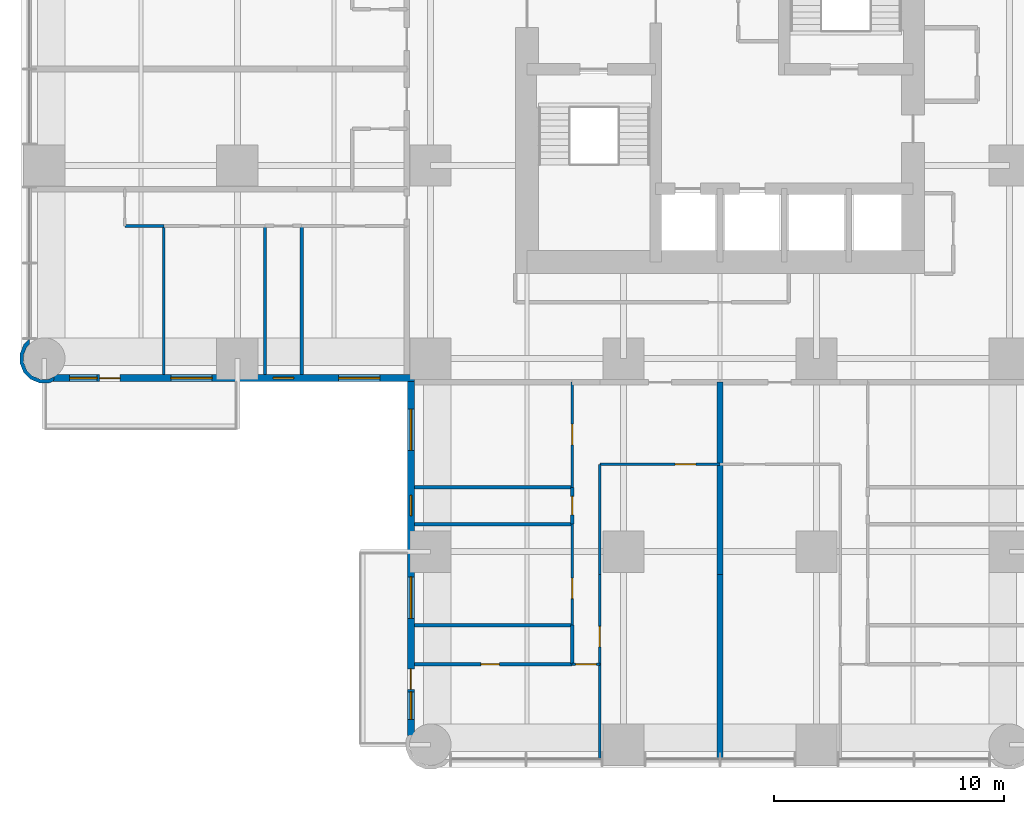
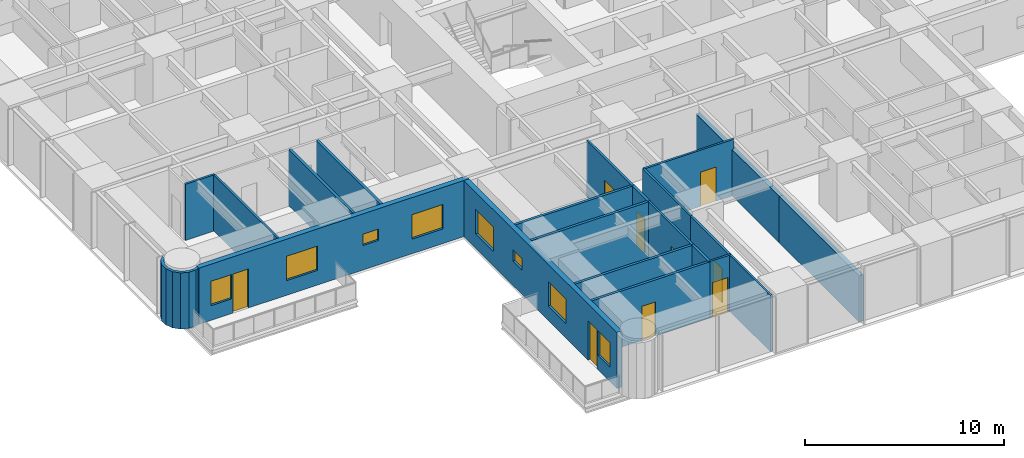
# One storey, part 7 of 17: 23 walls, 9 doors, 8 windows, 17 openings.
"""IFC4 building model written with IfcOpenShell, lengths in metres."""

from ifc_helpers import new_model, si_unit, direction, frame, frame_2d, origin, place, context, subcontext, project, spatial, polyline, rectangle, outline, extrude, material, layer, layer_set, type_object, element, fill, save


model = new_model("IFC4")

# Units and contexts
model_context = context("Model", 3, precision=1e-05, world=origin(), true_north=direction((0.0, 1.0)))
body_context = subcontext(model_context, "Body", "Model", "MODEL_VIEW")
ifc_project = project(units=[si_unit("LENGTHUNIT", "METRE"), si_unit("AREAUNIT", "SQUARE_METRE"), si_unit("VOLUMEUNIT", "CUBIC_METRE"), si_unit("PLANEANGLEUNIT", "RADIAN"), si_unit("MASSUNIT", "GRAM", prefix="KILO")], contexts=[model_context])

# Site, building, storey
site_placement = place(None, origin())
site = spatial("IfcSite", under=ifc_project, at=site_placement, CompositionType="ELEMENT")
building_placement = place(site_placement, origin())
building = spatial("IfcBuilding", under=site, at=building_placement, Name="Torre Alcanfor", CompositionType="ELEMENT")
storey_placement = place(building_placement, frame((0.0, 0.0, 74.10009765625)))
storey = spatial("IfcBuildingStorey", under=building, at=storey_placement, Name="L18", CompositionType="ELEMENT", Elevation=74.10009765625)

# Wall, opening, door
ifc_material_1 = material(Name="Gypsum board on steel studs", Category="steel")
ifc_layer_1 = layer(ifc_material_1, 0.1201171875)
ifc_layer_set_1 = layer_set([ifc_layer_1], Name="Apartment partition 120")
wall_type_1 = type_object("IfcWallType", Name="Apartment partition 120", PredefinedType="PARTITIONING", material=ifc_layer_set_1)
wall_1_placement = place(storey_placement, frame((29.39990234375, 12.199951171875, 0.0), z_axis=(0.0, 0.0, 1.0), x_axis=(-1.0, 0.0, 0.0)))
wall_1 = element("IfcWall", 1, at=wall_1_placement, inside=storey, type_object=wall_type_1, Name="Partition L18-S2-ZAG / L18-S2-KITCHEN", PredefinedType="PARTITIONING", context=body_context, shape_type="SweptSolid", body=[
    extrude(rectangle(XDim=5.22900390625, YDim=0.1201171875, at=frame_2d((2.614501953125, 0.0))), origin(), (0.0, 0.0, 1.0), 3.449951171875),
])
opening_1_placement = place(wall_1_placement, frame((1.050048828125, 0.0, 0.0)))
opening_1 = element("IfcOpeningElement", 2, at=opening_1_placement, cuts=wall_1, Name="Opening D-R1", PredefinedType="OPENING", context=body_context, shape_type="SweptSolid", body=[
    extrude(rectangle(XDim=0.89990234375, YDim=2.10009765625, at=frame_2d((0.449951171875, 1.050048828125))), frame((0.0, 0.070068359375, 0.0), z_axis=(0.0, -1.0, 0.0), x_axis=(1.0, 0.0, 0.0)), (0.0, 0.0, 1.0), 0.14013671875),
])
ifc_material_2 = material(Name="Timber", Category="wood")
door_type_1 = type_object("IfcDoorType", Name="Internal door 900x2100", OperationType="SINGLE_SWING_LEFT", PredefinedType="DOOR", material=ifc_material_2)
door_1_placement = place(opening_1_placement, origin())
door_1 = element("IfcDoor", 3, at=door_1_placement, inside=storey, type_object=door_type_1, Name="Door L18-S2 kitchen", OperationType="SINGLE_SWING_LEFT", OverallHeight=2.10009765625, OverallWidth=0.89990234375, PredefinedType="DOOR", context=body_context, shape_type="SweptSolid", body=[
    extrude(rectangle(XDim=0.89990234375, YDim=2.10009765625, at=frame_2d((0.449951171875, 1.050048828125))), frame((0.0, 0.02490234375, 0.0), z_axis=(0.0, -1.0, 0.0), x_axis=(1.0, 0.0, 0.0)), (0.0, 0.0, 1.0), 0.050048828125),
])
fill(opening_1, door_1)

# Wall
wall_2_placement = place(storey_placement, frame((24.1708984375, 7.39990234375, 0.0), z_axis=(0.0, 0.0, 1.0), x_axis=(0.0, 1.0, 0.0)))
element("IfcWall", 4, at=wall_2_placement, inside=storey, type_object=wall_type_1, Name="Partition L18-S2-KITCHEN / L18-S2-HALL", PredefinedType="PARTITIONING", context=body_context, shape_type="SweptSolid", body=[
    extrude(rectangle(XDim=4.800048828125, YDim=0.1201171875, at=frame_2d((2.39990234375, 0.0))), origin(), (0.0, 0.0, 1.0), 3.449951171875),
])

# Wall, opening, door
wall_3_placement = place(storey_placement, frame((24.1708984375, 3.5, 0.0), z_axis=(0.0, 0.0, 1.0), x_axis=(0.0, 1.0, 0.0)))
wall_3 = element("IfcWall", 5, at=wall_3_placement, inside=storey, type_object=wall_type_1, Name="Partition L18-S2-LIVING / L18-S2-HALL", PredefinedType="PARTITIONING", context=body_context, shape_type="SweptSolid", body=[
    extrude(rectangle(XDim=3.89990234375, YDim=0.1201171875, at=frame_2d((1.949951171875, 0.0))), origin(), (0.0, 0.0, 1.0), 3.449951171875),
])
opening_2_placement = place(wall_3_placement, frame((0.75, 0.0, 0.0)))
opening_2 = element("IfcOpeningElement", 6, at=opening_2_placement, cuts=wall_3, Name="Opening D-R1", PredefinedType="OPENING", context=body_context, shape_type="SweptSolid", body=[
    extrude(rectangle(XDim=0.89990234375, YDim=2.10009765625, at=frame_2d((0.449951171875, 1.050048828125))), frame((0.0, 0.070068359375, 0.0), z_axis=(0.0, -1.0, 0.0), x_axis=(1.0, 0.0, 0.0)), (0.0, 0.0, 1.0), 0.14013671875),
])
door_2_placement = place(opening_2_placement, frame((0.89990234375, 0.0, 0.0), z_axis=(0.0, 0.0, 1.0), x_axis=(-1.0, 0.0, 0.0)))
door_2 = element("IfcDoor", 7, at=door_2_placement, inside=storey, type_object=door_type_1, Name="Door L18-S2 living", OperationType="SINGLE_SWING_LEFT", OverallHeight=2.10009765625, OverallWidth=0.89990234375, PredefinedType="DOOR", context=body_context, shape_type="SweptSolid", body=[
    extrude(rectangle(XDim=0.89990234375, YDim=2.10009765625, at=frame_2d((0.449951171875, 1.050048828125))), frame((0.0, 0.025146484375, 0.0), z_axis=(0.0, -1.0, 0.0), x_axis=(1.0, 0.0, 0.0)), (0.0, 0.0, 1.0), 0.050048828125),
])
fill(opening_2, door_2)

# Wall
wall_4_placement = place(storey_placement, frame((24.1708984375, -0.64990234375, 0.0), z_axis=(0.0, 0.0, 1.0), x_axis=(0.0, 1.0, 0.0)))
element("IfcWall", 8, at=wall_4_placement, inside=storey, type_object=wall_type_1, Name="Partition L18-S2-LIVING / L18-S2-MASTER", PredefinedType="PARTITIONING", context=body_context, shape_type="SweptSolid", body=[
    extrude(rectangle(XDim=4.14990234375, YDim=0.1201171875, at=frame_2d((2.074951171875, 0.0))), origin(), (0.0, 0.0, 1.0), 3.449951171875),
])

# Wall, opening, door
wall_5_placement = place(storey_placement, frame((22.970947265625, 11.199951171875, 0.0), z_axis=(0.0, 0.0, 1.0), x_axis=(0.0, 1.0, 0.0)))
wall_5 = element("IfcWall", 9, at=wall_5_placement, inside=storey, type_object=wall_type_1, Name="Partition L18-S2-HALL / L18-S2-BED3", PredefinedType="PARTITIONING", context=body_context, shape_type="SweptSolid", body=[
    extrude(rectangle(XDim=4.574951171875, YDim=0.1201171875, at=frame_2d((2.28759765625, 0.0))), origin(), (0.0, 0.0, 1.0), 3.449951171875),
])
opening_3_placement = place(wall_5_placement, frame((1.85009765625, 0.0, 0.0)))
opening_3 = element("IfcOpeningElement", 10, at=opening_3_placement, cuts=wall_5, Name="Opening D-R1", PredefinedType="OPENING", context=body_context, shape_type="SweptSolid", body=[
    extrude(rectangle(XDim=0.89990234375, YDim=2.10009765625, at=frame_2d((0.449951171875, 1.050048828125))), frame((0.0, 0.070068359375, 0.0), z_axis=(0.0, -1.0, 0.0), x_axis=(1.0, 0.0, 0.0)), (0.0, 0.0, 1.0), 0.14013671875),
])
door_3_placement = place(opening_3_placement, origin())
door_3 = element("IfcDoor", 11, at=door_3_placement, inside=storey, type_object=door_type_1, Name="Door L18-S2 bed3", OperationType="SINGLE_SWING_RIGHT", OverallHeight=2.10009765625, OverallWidth=0.89990234375, PredefinedType="DOOR", context=body_context, shape_type="SweptSolid", body=[
    extrude(rectangle(XDim=0.89990234375, YDim=2.10009765625, at=frame_2d((0.449951171875, 1.050048828125))), frame((0.0, 0.02490234375, 0.0), z_axis=(0.0, -1.0, 0.0), x_axis=(1.0, 0.0, 0.0)), (0.0, 0.0, 1.0), 0.050048828125),
])
fill(opening_3, door_3)

wall_6_placement = place(storey_placement, frame((22.970947265625, 5.199951171875, 0.0), z_axis=(0.0, 0.0, 1.0), x_axis=(0.0, 1.0, 0.0)))
wall_6 = element("IfcWall", 12, at=wall_6_placement, inside=storey, type_object=wall_type_1, Name="Partition L18-S2-HALL / L18-S2-BED2", PredefinedType="PARTITIONING", context=body_context, shape_type="SweptSolid", body=[
    extrude(rectangle(XDim=4.400146484375, YDim=0.1201171875, at=frame_2d((2.2001953125, 0.0))), origin(), (0.0, 0.0, 1.0), 3.449951171875),
])
opening_4_placement = place(wall_6_placement, frame((1.14990234375, 0.0, 0.0)))
opening_4 = element("IfcOpeningElement", 13, at=opening_4_placement, cuts=wall_6, Name="Opening D-R1", PredefinedType="OPENING", context=body_context, shape_type="SweptSolid", body=[
    extrude(rectangle(XDim=0.89990234375, YDim=2.10009765625, at=frame_2d((0.449951171875, 1.050048828125))), frame((0.0, 0.070068359375, 0.0), z_axis=(0.0, -1.0, 0.0), x_axis=(1.0, 0.0, 0.0)), (0.0, 0.0, 1.0), 0.14013671875),
])
door_4_placement = place(opening_4_placement, origin())
door_4 = element("IfcDoor", 14, at=door_4_placement, inside=storey, type_object=door_type_1, Name="Door L18-S2 bed2", OperationType="SINGLE_SWING_LEFT", OverallHeight=2.10009765625, OverallWidth=0.89990234375, PredefinedType="DOOR", context=body_context, shape_type="SweptSolid", body=[
    extrude(rectangle(XDim=0.89990234375, YDim=2.10009765625, at=frame_2d((0.449951171875, 1.050048828125))), frame((0.0, 0.02490234375, 0.0), z_axis=(0.0, -1.0, 0.0), x_axis=(1.0, 0.0, 0.0)), (0.0, 0.0, 1.0), 0.050048828125),
])
fill(opening_4, door_4)

wall_7_placement = place(storey_placement, frame((24.1708984375, 3.5, 0.0), z_axis=(0.0, 0.0, 1.0), x_axis=(-1.0, 0.0, 0.0)))
wall_7 = element("IfcWall", 15, at=wall_7_placement, inside=storey, type_object=wall_type_1, Name="Partition L18-S2-HALL / L18-S2-MASTER", PredefinedType="PARTITIONING", context=body_context, shape_type="SweptSolid", body=[
    extrude(rectangle(XDim=1.199951171875, YDim=0.1201171875, at=frame_2d((0.60009765625, 0.0))), origin(), (0.0, 0.0, 1.0), 3.449951171875),
])
opening_5_placement = place(wall_7_placement, frame((0.15087890625, 0.0, 0.0)))
opening_5 = element("IfcOpeningElement", 16, at=opening_5_placement, cuts=wall_7, Name="Opening D-R1", PredefinedType="OPENING", context=body_context, shape_type="SweptSolid", body=[
    extrude(rectangle(XDim=0.89990234375, YDim=2.10009765625, at=frame_2d((0.449951171875, 1.050048828125))), frame((0.0, 0.070068359375, 0.0), z_axis=(0.0, -1.0, 0.0), x_axis=(1.0, 0.0, 0.0)), (0.0, 0.0, 1.0), 0.14013671875),
])
door_5_placement = place(opening_5_placement, origin())
door_5 = element("IfcDoor", 17, at=door_5_placement, inside=storey, type_object=door_type_1, Name="Door L18-S2 master", OperationType="SINGLE_SWING_LEFT", OverallHeight=2.10009765625, OverallWidth=0.89990234375, PredefinedType="DOOR", context=body_context, shape_type="SweptSolid", body=[
    extrude(rectangle(XDim=0.89990234375, YDim=2.10009765625, at=frame_2d((0.449951171875, 1.050048828125))), frame((0.0, 0.02490234375, 0.0), z_axis=(0.0, -1.0, 0.0), x_axis=(1.0, 0.0, 0.0)), (0.0, 0.0, 1.0), 0.050048828125),
])
fill(opening_5, door_5)

# Walls
wall_8_placement = place(storey_placement, frame((3.5, 22.571044921875, 0.0), z_axis=(0.0, 0.0, 1.0), x_axis=(1.0, 0.0, 0.0)))
element("IfcWall", 18, at=wall_8_placement, inside=storey, type_object=wall_type_1, Name="Partition L18-W1B-HALL / L18-W1B-KITCHEN", PredefinedType="PARTITIONING", context=body_context, shape_type="SweptSolid", body=[
    extrude(rectangle(XDim=1.699951171875, YDim=0.1201171875, at=frame_2d((0.85009765625, 0.0))), origin(), (0.0, 0.0, 1.0), 3.449951171875),
])
wall_9_placement = place(storey_placement, frame((5.199951171875, 22.571044921875, 0.0), z_axis=(0.0, 0.0, 1.0), x_axis=(0.0, -1.0, 0.0)))
element("IfcWall", 19, at=wall_9_placement, inside=storey, type_object=wall_type_1, Name="Partition L18-W1B-STUDY / L18-W1B-KITCHEN", PredefinedType="PARTITIONING", context=body_context, shape_type="SweptSolid", body=[
    extrude(rectangle(XDim=6.470947265625, YDim=0.1201171875, at=frame_2d((3.2353515625, 0.0))), origin(), (0.0, 0.0, 1.0), 3.449951171875),
])

# Wall, openings, door, windows
ifc_material_3 = material(Name="Limestone cladding", Category="masonry")
ifc_layer_2 = layer(ifc_material_3, 0.0400390625, Name="Facing")
ifc_material_4 = material(Name="Ventilated air cavity")
ifc_layer_3 = layer(ifc_material_4, 0.02001953125, ventilated=True, Name="Ventilated joint")
ifc_material_5 = material(Name="Mineral wool insulation", Category="insulation")
ifc_layer_4 = layer(ifc_material_5, 0.10009765625, Name="Insulation")
ifc_material_6 = material(Name="Concrete f'c 35 MPa", Category="concrete")
ifc_layer_5 = layer(ifc_material_6, 0.139892578125, Name="Backing")
ifc_layer_set_2 = layer_set([ifc_layer_2, ifc_layer_3, ifc_layer_4, ifc_layer_5], Name="External wall stone-clad 300")
wall_type_2 = type_object("IfcWallType", Name="External wall stone-clad 300", PredefinedType="SOLIDWALL", material=ifc_layer_set_2)
wall_10_placement = place(storey_placement, frame((0.39990234375, 15.949951171875, 0.0), z_axis=(0.0, 0.0, 1.0), x_axis=(1.0, 0.0, 0.0)))
wall_10 = element("IfcWall", 20, at=wall_10_placement, inside=storey, type_object=wall_type_2, Name="External wall L18 3", PredefinedType="SOLIDWALL", context=body_context, shape_type="SweptSolid", body=[
    extrude(rectangle(XDim=15.7001953125, YDim=0.300048828125, at=frame_2d((7.85009765625, 0.0))), origin(), (0.0, 0.0, 1.0), 3.449951171875),
])
opening_6_placement = place(wall_10_placement, frame((12.39990234375, 0.0, 0.89990234375)))
opening_6 = element("IfcOpeningElement", 21, at=opening_6_placement, cuts=wall_10, Name="Opening W2", PredefinedType="OPENING", context=body_context, shape_type="SweptSolid", body=[
    extrude(rectangle(XDim=1.800048828125, YDim=1.5, at=frame_2d((0.89990234375, 0.75))), frame((0.0, 0.159912109375, 0.0), z_axis=(0.0, -1.0, 0.0), x_axis=(1.0, 0.0, 0.0)), (0.0, 0.0, 1.0), 0.320068359375),
])
opening_7_placement = place(wall_10_placement, frame((9.550048828125, 0.0, 1.5)))
opening_7 = element("IfcOpeningElement", 22, at=opening_7_placement, cuts=wall_10, Name="Opening W3", PredefinedType="OPENING", context=body_context, shape_type="SweptSolid", body=[
    extrude(rectangle(XDim=0.89990234375, YDim=0.699951171875, at=frame_2d((0.449951171875, 0.35009765625))), frame((0.0, 0.159912109375, 0.0), z_axis=(0.0, -1.0, 0.0), x_axis=(1.0, 0.0, 0.0)), (0.0, 0.0, 1.0), 0.320068359375),
])
opening_8_placement = place(wall_10_placement, frame((5.10009765625, 0.0, 0.89990234375)))
opening_8 = element("IfcOpeningElement", 23, at=opening_8_placement, cuts=wall_10, Name="Opening W2", PredefinedType="OPENING", context=body_context, shape_type="SweptSolid", body=[
    extrude(rectangle(XDim=1.800048828125, YDim=1.5, at=frame_2d((0.89990234375, 0.75))), frame((0.0, 0.159912109375, 0.0), z_axis=(0.0, -1.0, 0.0), x_axis=(1.0, 0.0, 0.0)), (0.0, 0.0, 1.0), 0.320068359375),
])
opening_9_placement = place(wall_10_placement, frame((2.0, 0.0, 0.0)))
opening_9 = element("IfcOpeningElement", 24, at=opening_9_placement, cuts=wall_10, Name="Opening D-B1", PredefinedType="OPENING", context=body_context, shape_type="SweptSolid", body=[
    extrude(rectangle(XDim=0.89990234375, YDim=2.39990234375, at=frame_2d((0.449951171875, 1.199951171875))), frame((0.0, 0.159912109375, 0.0), z_axis=(0.0, -1.0, 0.0), x_axis=(1.0, 0.0, 0.0)), (0.0, 0.0, 1.0), 0.320068359375),
])
opening_10_placement = place(wall_10_placement, frame((0.699951171875, 0.0, 0.89990234375)))
opening_10 = element("IfcOpeningElement", 25, at=opening_10_placement, cuts=wall_10, Name="Opening W4", PredefinedType="OPENING", context=body_context, shape_type="SweptSolid", body=[
    extrude(rectangle(XDim=1.199951171875, YDim=1.5, at=frame_2d((0.60009765625, 0.75))), frame((0.0, 0.159912109375, 0.0), z_axis=(0.0, -1.0, 0.0), x_axis=(1.0, 0.0, 0.0)), (0.0, 0.0, 1.0), 0.320068359375),
])
ifc_material_7 = material(Name="Aluminium and glass", Category="aluminium")
door_type_2 = type_object("IfcDoorType", Name="Balcony door glazed 900x2400", OperationType="SINGLE_SWING_LEFT", PredefinedType="DOOR", material=ifc_material_7)
door_6_placement = place(opening_9_placement, origin())
door_6 = element("IfcDoor", 26, at=door_6_placement, inside=storey, type_object=door_type_2, Name="Balcony door L18-W1", OperationType="SINGLE_SWING_RIGHT", OverallHeight=2.39990234375, OverallWidth=0.89990234375, PredefinedType="DOOR", context=body_context, shape_type="SweptSolid", body=[
    extrude(rectangle(XDim=0.89990234375, YDim=2.39990234375, at=frame_2d((0.449951171875, 1.199951171875))), frame((0.0, 0.02490234375, 0.0), z_axis=(0.0, -1.0, 0.0), x_axis=(1.0, 0.0, 0.0)), (0.0, 0.0, 1.0), 0.050048828125),
])
fill(opening_9, door_6)
ifc_material_8 = material(Name="Aluminium frame with clear double glazing", Category="aluminium")
window_type_1 = type_object("IfcWindowType", Name="Window bathroom 900x700", PartitioningType="SINGLE_PANEL", PredefinedType="WINDOW", material=ifc_material_8)
window_1_placement = place(opening_7_placement, origin())
window_1 = element("IfcWindow", 27, at=window_1_placement, inside=storey, type_object=window_type_1, Name="Window W3 L18-W1", OverallHeight=0.699951171875, OverallWidth=0.89990234375, PartitioningType="SINGLE_PANEL", PredefinedType="WINDOW", context=body_context, shape_type="SweptSolid", body=[
    extrude(rectangle(XDim=0.89990234375, YDim=0.699951171875, at=frame_2d((0.449951171875, 0.35009765625))), frame((0.0, 0.030029296875, 0.0), z_axis=(0.0, -1.0, 0.0), x_axis=(1.0, 0.0, 0.0)), (0.0, 0.0, 1.0), 0.06005859375),
])
fill(opening_7, window_1)
ifc_material_9 = material(Name="Aluminium frame with clear double glazing", Category="aluminium")
window_type_2 = type_object("IfcWindowType", Name="Window bedroom 1200x1500", PartitioningType="SINGLE_PANEL", PredefinedType="WINDOW", material=ifc_material_9)
window_2_placement = place(opening_10_placement, origin())
window_2 = element("IfcWindow", 28, at=window_2_placement, inside=storey, type_object=window_type_2, Name="Window W4 L18-W1", OverallHeight=1.5, OverallWidth=1.199951171875, PartitioningType="SINGLE_PANEL", PredefinedType="WINDOW", context=body_context, shape_type="SweptSolid", body=[
    extrude(rectangle(XDim=1.199951171875, YDim=1.5, at=frame_2d((0.60009765625, 0.75))), frame((0.0, 0.030029296875, 0.0), z_axis=(0.0, -1.0, 0.0), x_axis=(1.0, 0.0, 0.0)), (0.0, 0.0, 1.0), 0.06005859375),
])
fill(opening_10, window_2)
ifc_material_10 = material(Name="Aluminium frame with clear double glazing", Category="aluminium")
window_type_3 = type_object("IfcWindowType", Name="Window bedroom 1800x1500", PartitioningType="SINGLE_PANEL", PredefinedType="WINDOW", material=ifc_material_10)
window_3_placement = place(opening_6_placement, origin())
window_3 = element("IfcWindow", 29, at=window_3_placement, inside=storey, type_object=window_type_3, Name="Window W2 L18-W1", OverallHeight=1.5, OverallWidth=1.800048828125, PartitioningType="SINGLE_PANEL", PredefinedType="WINDOW", context=body_context, shape_type="SweptSolid", body=[
    extrude(rectangle(XDim=1.800048828125, YDim=1.5, at=frame_2d((0.89990234375, 0.75))), frame((0.0, 0.030029296875, 0.0), z_axis=(0.0, -1.0, 0.0), x_axis=(1.0, 0.0, 0.0)), (0.0, 0.0, 1.0), 0.06005859375),
])
fill(opening_6, window_3)
window_4_placement = place(opening_8_placement, origin())
window_4 = element("IfcWindow", 30, at=window_4_placement, inside=storey, type_object=window_type_3, Name="Window W2 L18-W1", OverallHeight=1.5, OverallWidth=1.800048828125, PartitioningType="SINGLE_PANEL", PredefinedType="WINDOW", context=body_context, shape_type="SweptSolid", body=[
    extrude(rectangle(XDim=1.800048828125, YDim=1.5, at=frame_2d((0.89990234375, 0.75))), frame((0.0, 0.030029296875, 0.0), z_axis=(0.0, -1.0, 0.0), x_axis=(1.0, 0.0, 0.0)), (0.0, 0.0, 1.0), 0.06005859375),
])
fill(opening_8, window_4)

wall_11_placement = place(storey_placement, frame((15.949951171875, 15.800048828125, 0.0), z_axis=(0.0, 0.0, 1.0), x_axis=(0.0, -1.0, 0.0)))
wall_11 = element("IfcWall", 31, at=wall_11_placement, inside=storey, type_object=wall_type_2, Name="External wall L18 4", PredefinedType="SOLIDWALL", context=body_context, shape_type="SweptSolid", body=[
    extrude(rectangle(XDim=15.400146484375, YDim=0.300048828125, at=frame_2d((7.7001953125, 0.0))), origin(), (0.0, 0.0, 1.0), 3.449951171875),
])
opening_11_placement = place(wall_11_placement, frame((1.199951171875, 0.0, 0.89990234375)))
opening_11 = element("IfcOpeningElement", 32, at=opening_11_placement, cuts=wall_11, Name="Opening W2", PredefinedType="OPENING", context=body_context, shape_type="SweptSolid", body=[
    extrude(rectangle(XDim=1.800048828125, YDim=1.5, at=frame_2d((0.89990234375, 0.75))), frame((0.0, 0.159912109375, 0.0), z_axis=(0.0, -1.0, 0.0), x_axis=(1.0, 0.0, 0.0)), (0.0, 0.0, 1.0), 0.320068359375),
])
opening_12_placement = place(wall_11_placement, frame((4.949951171875, 0.0, 1.5)))
opening_12 = element("IfcOpeningElement", 33, at=opening_12_placement, cuts=wall_11, Name="Opening W3", PredefinedType="OPENING", context=body_context, shape_type="SweptSolid", body=[
    extrude(rectangle(XDim=0.89990234375, YDim=0.699951171875, at=frame_2d((0.449951171875, 0.35009765625))), frame((0.0, 0.159912109375, 0.0), z_axis=(0.0, -1.0, 0.0), x_axis=(1.0, 0.0, 0.0)), (0.0, 0.0, 1.0), 0.320068359375),
])
opening_13_placement = place(wall_11_placement, frame((8.5, 0.0, 0.89990234375)))
opening_13 = element("IfcOpeningElement", 34, at=opening_13_placement, cuts=wall_11, Name="Opening W2", PredefinedType="OPENING", context=body_context, shape_type="SweptSolid", body=[
    extrude(rectangle(XDim=1.800048828125, YDim=1.5, at=frame_2d((0.89990234375, 0.75))), frame((0.0, 0.159912109375, 0.0), z_axis=(0.0, -1.0, 0.0), x_axis=(1.0, 0.0, 0.0)), (0.0, 0.0, 1.0), 0.320068359375),
])
opening_14_placement = place(wall_11_placement, frame((12.5, 0.0, 0.0)))
opening_14 = element("IfcOpeningElement", 35, at=opening_14_placement, cuts=wall_11, Name="Opening D-B1", PredefinedType="OPENING", context=body_context, shape_type="SweptSolid", body=[
    extrude(rectangle(XDim=0.89990234375, YDim=2.39990234375, at=frame_2d((0.449951171875, 1.199951171875))), frame((0.0, 0.159912109375, 0.0), z_axis=(0.0, -1.0, 0.0), x_axis=(1.0, 0.0, 0.0)), (0.0, 0.0, 1.0), 0.320068359375),
])
opening_15_placement = place(wall_11_placement, frame((13.5, 0.0, 0.89990234375)))
opening_15 = element("IfcOpeningElement", 36, at=opening_15_placement, cuts=wall_11, Name="Opening W4", PredefinedType="OPENING", context=body_context, shape_type="SweptSolid", body=[
    extrude(rectangle(XDim=1.199951171875, YDim=1.5, at=frame_2d((0.60009765625, 0.75))), frame((0.0, 0.159912109375, 0.0), z_axis=(0.0, -1.0, 0.0), x_axis=(1.0, 0.0, 0.0)), (0.0, 0.0, 1.0), 0.320068359375),
])
door_7_placement = place(opening_14_placement, origin())
door_7 = element("IfcDoor", 37, at=door_7_placement, inside=storey, type_object=door_type_2, Name="Balcony door L18-S2", OperationType="SINGLE_SWING_LEFT", OverallHeight=2.39990234375, OverallWidth=0.89990234375, PredefinedType="DOOR", context=body_context, shape_type="SweptSolid", body=[
    extrude(rectangle(XDim=0.89990234375, YDim=2.39990234375, at=frame_2d((0.449951171875, 1.199951171875))), frame((0.0, 0.02490234375, 0.0), z_axis=(0.0, -1.0, 0.0), x_axis=(1.0, 0.0, 0.0)), (0.0, 0.0, 1.0), 0.050048828125),
])
fill(opening_14, door_7)
window_5_placement = place(opening_12_placement, origin())
window_5 = element("IfcWindow", 38, at=window_5_placement, inside=storey, type_object=window_type_1, Name="Window W3 L18-S2", OverallHeight=0.699951171875, OverallWidth=0.89990234375, PartitioningType="SINGLE_PANEL", PredefinedType="WINDOW", context=body_context, shape_type="SweptSolid", body=[
    extrude(rectangle(XDim=0.89990234375, YDim=0.699951171875, at=frame_2d((0.449951171875, 0.35009765625))), frame((0.0, 0.030029296875, 0.0), z_axis=(0.0, -1.0, 0.0), x_axis=(1.0, 0.0, 0.0)), (0.0, 0.0, 1.0), 0.06005859375),
])
fill(opening_12, window_5)
window_6_placement = place(opening_15_placement, origin())
window_6 = element("IfcWindow", 39, at=window_6_placement, inside=storey, type_object=window_type_2, Name="Window W4 L18-S2", OverallHeight=1.5, OverallWidth=1.199951171875, PartitioningType="SINGLE_PANEL", PredefinedType="WINDOW", context=body_context, shape_type="SweptSolid", body=[
    extrude(rectangle(XDim=1.199951171875, YDim=1.5, at=frame_2d((0.60009765625, 0.75))), frame((0.0, 0.030029296875, 0.0), z_axis=(0.0, -1.0, 0.0), x_axis=(1.0, 0.0, 0.0)), (0.0, 0.0, 1.0), 0.06005859375),
])
fill(opening_15, window_6)
window_7_placement = place(opening_11_placement, origin())
window_7 = element("IfcWindow", 40, at=window_7_placement, inside=storey, type_object=window_type_3, Name="Window W2 L18-S2", OverallHeight=1.5, OverallWidth=1.800048828125, PartitioningType="SINGLE_PANEL", PredefinedType="WINDOW", context=body_context, shape_type="SweptSolid", body=[
    extrude(rectangle(XDim=1.800048828125, YDim=1.5, at=frame_2d((0.89990234375, 0.75))), frame((0.0, 0.030029296875, 0.0), z_axis=(0.0, -1.0, 0.0), x_axis=(1.0, 0.0, 0.0)), (0.0, 0.0, 1.0), 0.06005859375),
])
fill(opening_11, window_7)
window_8_placement = place(opening_13_placement, origin())
window_8 = element("IfcWindow", 41, at=window_8_placement, inside=storey, type_object=window_type_3, Name="Window W2 L18-S2", OverallHeight=1.5, OverallWidth=1.800048828125, PartitioningType="SINGLE_PANEL", PredefinedType="WINDOW", context=body_context, shape_type="SweptSolid", body=[
    extrude(rectangle(XDim=1.800048828125, YDim=1.5, at=frame_2d((0.89990234375, 0.75))), frame((0.0, 0.030029296875, 0.0), z_axis=(0.0, -1.0, 0.0), x_axis=(1.0, 0.0, 0.0)), (0.0, 0.0, 1.0), 0.06005859375),
])
fill(opening_13, window_8)

# Walls
ifc_material_11 = material(Name="Concrete block masonry, hollow blocks NMX-C-404 9 MPa", Category="masonry")
ifc_layer_6 = layer(ifc_material_11, 0.25)
ifc_layer_set_3 = layer_set([ifc_layer_6], Name="Party wall 250 EI 60")
wall_type_3 = type_object("IfcWallType", Name="Party wall 250 EI 60", PredefinedType="PARTITIONING", material=ifc_layer_set_3)
wall_12_placement = place(storey_placement, frame((29.39990234375, 15.77490234375, 0.0), z_axis=(0.0, 0.0, 1.0), x_axis=(0.0, -1.0, 0.0)))
element("IfcWall", 42, at=wall_12_placement, inside=storey, type_object=wall_type_3, Name="Partition L18-S1-ZAG / L18-S2-ZAG", PredefinedType="PARTITIONING", context=body_context, shape_type="SweptSolid", body=[
    extrude(rectangle(XDim=3.574951171875, YDim=0.25, at=frame_2d((1.78759765625, 0.0))), origin(), (0.0, 0.0, 1.0), 2.847900390625),
])
wall_13_placement = place(storey_placement, frame((29.39990234375, 12.199951171875, 0.0), z_axis=(0.0, 0.0, 1.0), x_axis=(0.0, -1.0, 0.0)))
element("IfcWall", 43, at=wall_13_placement, inside=storey, type_object=wall_type_3, Name="Partition L18-S1-KITCHEN / L18-S2-KITCHEN", PredefinedType="PARTITIONING", context=body_context, shape_type="SweptSolid", body=[
    extrude(rectangle(XDim=4.800048828125, YDim=0.25, at=frame_2d((2.39990234375, 0.0))), origin(), (0.0, 0.0, 1.0), 2.847900390625),
])
wall_14_placement = place(storey_placement, frame((29.39990234375, 7.39990234375, 0.0), z_axis=(0.0, 0.0, 1.0), x_axis=(0.0, -1.0, 0.0)))
element("IfcWall", 44, at=wall_14_placement, inside=storey, type_object=wall_type_3, Name="Partition L18-S1-LIVING / L18-S2-LIVING", PredefinedType="PARTITIONING", context=body_context, shape_type="SweptSolid", body=[
    extrude(rectangle(XDim=8.0498046875, YDim=0.25, at=frame_2d((4.02490234375, 0.0))), origin(), (0.0, 0.0, 1.0), 2.847900390625),
])
ifc_layer_7 = layer(ifc_material_3, 0.0400390625, Name="Facing")
ifc_layer_8 = layer(ifc_material_4, 0.02001953125, ventilated=True, Name="Ventilated joint")
ifc_layer_9 = layer(ifc_material_5, 0.10009765625, Name="Insulation")
ifc_layer_10 = layer(ifc_material_6, 0.139892578125, Name="Backing")
ifc_layer_set_4 = layer_set([ifc_layer_7, ifc_layer_8, ifc_layer_9, ifc_layer_10], Name="Rounded corner pier stone-clad 300")
wall_type_4 = type_object("IfcWallType", Name="Rounded corner pier stone-clad 300", PredefinedType="SOLIDWALL", material=ifc_layer_set_4)
wall_15_placement = place(storey_placement, frame((-0.610519256, 17.56659392, 0.0), z_axis=(0.0, 0.0, 1.0), x_axis=(-0.926129809145, -0.377204953059, 0.0)))
element("IfcWall", 45, at=wall_15_placement, inside=storey, type_object=wall_type_4, Name="Corner pier L18 14", PredefinedType="SOLIDWALL", context=body_context, shape_type="SweptSolid", body=[
    extrude(outline(polyline([(-0.2694320048751383, 2.0171861008885523), (-0.3700526678318482, 1.8406866495551875), (-0.10232913830325796, 1.8423628952563784), (0.22959433821660935, 1.7071732294627), (0.4846648868960458, 1.4551341488862783), (0.6237723089217844, 1.1248457008471362), (0.6256501657648526, 0.7663568996565957), (0.49046049997117414, 0.4344334231367283), (0.2387396163581813, 0.17949688931473468), (0.09014163443691028, 0.11691195088889664), (0.010851237809964043, -0.07776523799639344), (0.024417592436116662, -0.08329070117597158), (0.32956848036437986, 0.045229547111777235), (0.4801338191951393, 0.19743274075920003), (0.4990091877024963, 0.1926447125875501), (0.5075557555746872, 0.2252788612711387), (0.6260018077392729, 0.3452223941390844), (0.7850430562581303, 0.7357073014618439), (0.782472278983801, 1.15721841463542), (0.6187061231885674, 1.5460551039454697), (0.3187132761612602, 1.8424884313203629), (-0.07154552525106339, 2.0014375887862275), (-0.2401131340992967, 2.00049972024067), (-0.2694320048751383, 2.0171861008885523)])), origin(), (0.0, 0.0, 1.0), 3.449951171875),
])

# Wall, opening, door
ifc_material_12 = material(Name="Cement board on steel studs", Category="steel")
ifc_layer_11 = layer(ifc_material_12, 0.14990234375)
ifc_layer_set_5 = layer_set([ifc_layer_11], Name="Wet area partition 150")
wall_type_5 = type_object("IfcWallType", Name="Wet area partition 150", PredefinedType="PARTITIONING", material=ifc_layer_set_5)
wall_16_placement = place(storey_placement, frame((22.970947265625, 9.60009765625, 0.0), z_axis=(0.0, 0.0, 1.0), x_axis=(0.0, 1.0, 0.0)))
wall_16 = element("IfcWall", 46, at=wall_16_placement, inside=storey, type_object=wall_type_5, Name="Partition L18-S2-HALL / L18-S2-BATH1", PredefinedType="PARTITIONING", context=body_context, shape_type="SweptSolid", body=[
    extrude(rectangle(XDim=1.599853515625, YDim=0.14990234375, at=frame_2d((0.7998046875, 0.0))), origin(), (0.0, 0.0, 1.0), 3.449951171875),
])
opening_16_placement = place(wall_16_placement, frame((0.39990234375, 0.0, 0.0)))
opening_16 = element("IfcOpeningElement", 47, at=opening_16_placement, cuts=wall_16, Name="Opening D-R2", PredefinedType="OPENING", context=body_context, shape_type="SweptSolid", body=[
    extrude(rectangle(XDim=0.800048828125, YDim=2.10009765625, at=frame_2d((0.39990234375, 1.050048828125))), frame((0.0, 0.0849609375, 0.0), z_axis=(0.0, -1.0, 0.0), x_axis=(1.0, 0.0, 0.0)), (0.0, 0.0, 1.0), 0.169921875),
])
ifc_material_13 = material(Name="Timber", Category="wood")
door_type_3 = type_object("IfcDoorType", Name="Bathroom door 800x2100", OperationType="SINGLE_SWING_LEFT", PredefinedType="DOOR", material=ifc_material_13)
door_8_placement = place(opening_16_placement, origin())
door_8 = element("IfcDoor", 48, at=door_8_placement, inside=storey, type_object=door_type_3, Name="Door L18-S2 bath1", OperationType="SINGLE_SWING_LEFT", OverallHeight=2.10009765625, OverallWidth=0.800048828125, PredefinedType="DOOR", context=body_context, shape_type="SweptSolid", body=[
    extrude(rectangle(XDim=0.800048828125, YDim=2.10009765625, at=frame_2d((0.39990234375, 1.050048828125))), frame((0.0, 0.02490234375, 0.0), z_axis=(0.0, -1.0, 0.0), x_axis=(1.0, 0.0, 0.0)), (0.0, 0.0, 1.0), 0.050048828125),
])
fill(opening_16, door_8)

# Walls
wall_17_placement = place(storey_placement, frame((22.970947265625, 3.5, 0.0), z_axis=(0.0, 0.0, 1.0), x_axis=(0.0, 1.0, 0.0)))
element("IfcWall", 49, at=wall_17_placement, inside=storey, type_object=wall_type_5, Name="Partition L18-S2-HALL / L18-S2-ENSBATH", PredefinedType="PARTITIONING", context=body_context, shape_type="SweptSolid", body=[
    extrude(rectangle(XDim=1.699951171875, YDim=0.14990234375, at=frame_2d((0.85009765625, 0.0))), origin(), (0.0, 0.0, 1.0), 3.449951171875),
])
for number, where, z_axis, x_axis, name in (
    (50, (22.970947265625, 11.199951171875, 0.0), (0.0, 0.0, 1.0), (-1.0, 0.0, 0.0), "Partition L18-S2-BED3 / L18-S2-BATH1"),
    (51, (22.970947265625, 9.60009765625, 0.0), (0.0, 0.0, 1.0), (-1.0, 0.0, 0.0), "Partition L18-S2-BATH1 / L18-S2-BED2"),
    (52, (22.970947265625, 5.199951171875, 0.0), (0.0, 0.0, 1.0), (-1.0, 0.0, 0.0), "Partition L18-S2-BED2 / L18-S2-ENSBATH"),
):
    element("IfcWall", number, at=place(storey_placement, frame(where, z_axis=z_axis, x_axis=x_axis)), inside=storey, type_object=wall_type_5, Name=name, PredefinedType="PARTITIONING", context=body_context, shape_type="SweptSolid", body=[
        extrude(rectangle(XDim=6.870849609375, YDim=0.14990234375, at=frame_2d((3.435546875, 0.0))), origin(), (0.0, 0.0, 1.0), 3.449951171875),
    ])

# Wall, opening, door
wall_18_placement = place(storey_placement, frame((22.970947265625, 3.5, 0.0), z_axis=(0.0, 0.0, 1.0), x_axis=(-1.0, 0.0, 0.0)))
wall_18 = element("IfcWall", 53, at=wall_18_placement, inside=storey, type_object=wall_type_5, Name="Partition L18-S2-ENSBATH / L18-S2-MASTER", PredefinedType="PARTITIONING", context=body_context, shape_type="SweptSolid", body=[
    extrude(rectangle(XDim=6.870849609375, YDim=0.14990234375, at=frame_2d((3.435546875, 0.0))), origin(), (0.0, 0.0, 1.0), 3.449951171875),
])
opening_17_placement = place(wall_18_placement, frame((3.1708984375, 0.0, 0.0)))
opening_17 = element("IfcOpeningElement", 54, at=opening_17_placement, cuts=wall_18, Name="Opening D-R2", PredefinedType="OPENING", context=body_context, shape_type="SweptSolid", body=[
    extrude(rectangle(XDim=0.800048828125, YDim=2.10009765625, at=frame_2d((0.39990234375, 1.050048828125))), frame((0.0, 0.0849609375, 0.0), z_axis=(0.0, -1.0, 0.0), x_axis=(1.0, 0.0, 0.0)), (0.0, 0.0, 1.0), 0.169921875),
])
door_9_placement = place(opening_17_placement, frame((0.800048828125, 0.0, 0.0), z_axis=(0.0, 0.0, 1.0), x_axis=(-1.0, 0.0, 0.0)))
door_9 = element("IfcDoor", 55, at=door_9_placement, inside=storey, type_object=door_type_3, Name="Door L18-S2 ensbath", OperationType="SINGLE_SWING_LEFT", OverallHeight=2.10009765625, OverallWidth=0.800048828125, PredefinedType="DOOR", context=body_context, shape_type="SweptSolid", body=[
    extrude(rectangle(XDim=0.800048828125, YDim=2.10009765625, at=frame_2d((0.400146484375, 1.050048828125))), frame((0.0, 0.025146484375, 0.0), z_axis=(0.0, -1.0, 0.0), x_axis=(1.0, 0.0, 0.0)), (0.0, 0.0, 1.0), 0.050048828125),
])
fill(opening_17, door_9)

# Walls
for number, where, z_axis, x_axis, name in (
    (56, (11.199951171875, 22.571044921875, 0.0), (0.0, 0.0, 1.0), (0.0, -1.0, 0.0), "Partition L18-W1B-MASTER / L18-W1B-BATH"),
    (57, (9.60009765625, 22.571044921875, 0.0), (0.0, 0.0, 1.0), (0.0, -1.0, 0.0), "Partition L18-W1B-BATH / L18-W1B-STUDY"),
):
    element("IfcWall", number, at=place(storey_placement, frame(where, z_axis=z_axis, x_axis=x_axis)), inside=storey, type_object=wall_type_5, Name=name, PredefinedType="PARTITIONING", context=body_context, shape_type="SweptSolid", body=[
        extrude(rectangle(XDim=6.470947265625, YDim=0.14990234375, at=frame_2d((3.2353515625, 0.0))), origin(), (0.0, 0.0, 1.0), 3.449951171875),
    ])

save(model, "model.ifc")
